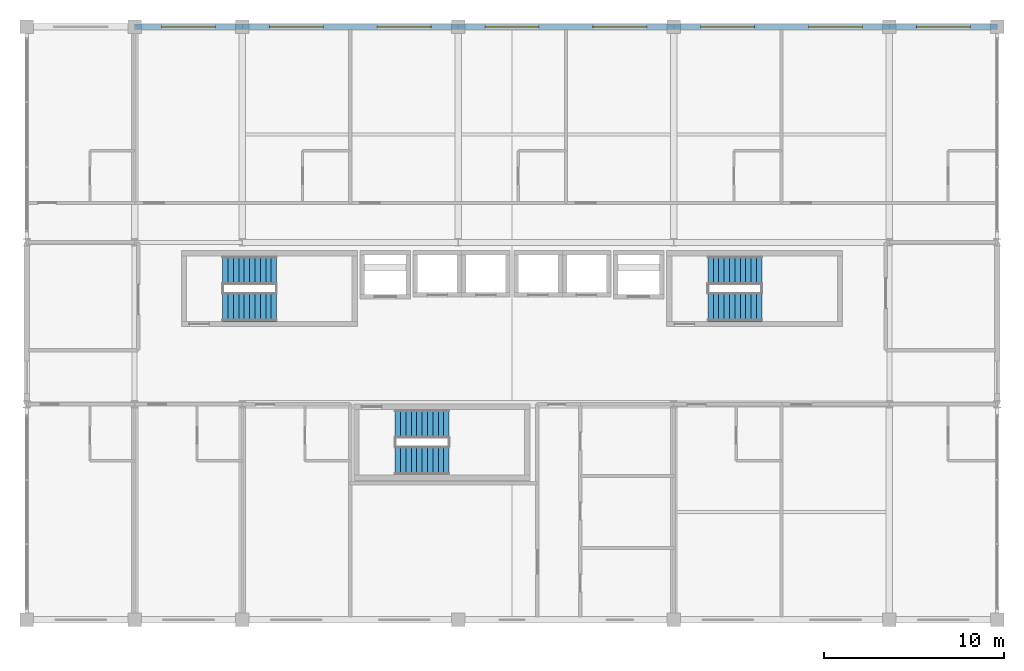
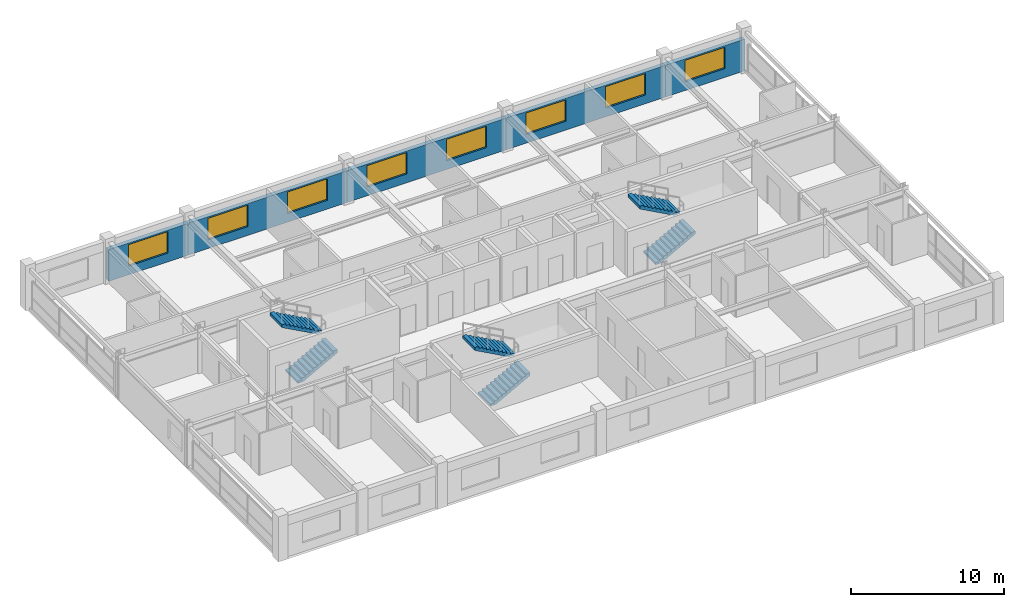
# One storey, part 19 of 20: 8 windows, 6 stair flights, 5 walls, 8 openings, 3 elements without a shape of their own.
"""IFC4 building model written with IfcOpenShell, lengths in metres."""

import ifcopenshell
import ifcopenshell.guid

model = None  # the IFC model being written
_history = None  # IfcOwnerHistory: only IFC2X3 demands one
_inside = {}  # id of a spatial element -> (the spatial element, [elements in it])
_under = {}  # id of a project, library or spatial element -> (it, [spatial elements below it])
_declared = {}  # id of a project -> (the project, [libraries it declares])
_typed = {}  # id of a type object -> (the type object, [elements of that type])
_made_of = {}  # id of a material, layer set ... -> (it, [elements and type objects made of it])


def new_model(schema):
    """Start an empty IFC model of exactly this schema.

    Asked for "IFC4X3", IfcOpenShell would pick the latest addendum, in which some entities
    have other attributes; the version numbers below select the first issue.
    IFC2X3 requires an IfcOwnerHistory on every rooted entity: one is made here for all.
    """
    global model, _history
    if schema == "IFC4X3":
        model = ifcopenshell.file(schema_version=(4, 3, 0, 0))
    else:
        model = ifcopenshell.file(schema=schema)
    _inside.clear()
    _under.clear()
    _declared.clear()
    _typed.clear()
    _made_of.clear()
    _history = None
    if model.schema == "IFC2X3":
        org = make("IfcOrganization", Name="unknown")
        user = make(
            "IfcPersonAndOrganization",
            ThePerson=make("IfcPerson", FamilyName="unknown"),
            TheOrganization=org,
        )
        app = make(
            "IfcApplication",
            ApplicationDeveloper=org,
            Version="unknown",
            ApplicationFullName="unknown",
            ApplicationIdentifier="unknown",
        )
        _history = make(
            "IfcOwnerHistory",
            OwningUser=user,
            OwningApplication=app,
            ChangeAction="ADDED",
            CreationDate=0,
        )
    return model


def make(cls, **values):
    """One entity of the class cls with the attributes given. An attribute that is None is left unset."""
    return model.create_entity(
        cls, **{name: value for name, value in values.items() if value is not None}
    )


def rooted(cls, **values):
    """An entity with a GlobalId (a new one), such as an element, a storey or a relation."""
    return make(cls, GlobalId=ifcopenshell.guid.new(), OwnerHistory=_history, **values)


def si_unit(unit_type, name, prefix=None):
    """IfcSIUnit, for example si_unit("LENGTHUNIT", "METRE", prefix="MILLI")."""
    return make("IfcSIUnit", UnitType=unit_type, Prefix=prefix, Name=name)


def assignment(units):
    """IfcUnitAssignment: the units of a project."""
    return None if units is None else make("IfcUnitAssignment", Units=units)


def point(xyz):
    """IfcCartesianPoint."""
    return None if xyz is None else make("IfcCartesianPoint", Coordinates=xyz)


def direction(xyz):
    """IfcDirection."""
    return None if xyz is None else make("IfcDirection", DirectionRatios=xyz)


def frame(location, z_axis=None, x_axis=None):
    """IfcAxis2Placement3D, a coordinate frame: its origin and axes. An axis left out is left unset."""
    return make(
        "IfcAxis2Placement3D",
        Location=point(location),
        Axis=direction(z_axis),
        RefDirection=direction(x_axis),
    )


def frame_2d(location, x_axis=None):
    """IfcAxis2Placement2D, a coordinate frame in the plane: its origin and x axis."""
    return make(
        "IfcAxis2Placement2D", Location=point(location), RefDirection=direction(x_axis)
    )


def origin():
    """The frame at (0, 0, 0) with its axes left unset."""
    return frame((0.0, 0.0, 0.0))


def place(relative_to, where):
    """IfcLocalPlacement: puts the frame where relative to a parent placement (None: the world)."""
    return make(
        "IfcLocalPlacement", PlacementRelTo=relative_to, RelativePlacement=where
    )


def context(
    kind, dimensions, precision=None, world=None, true_north=None, identifier=None
):
    """IfcGeometricRepresentationContext, for example the 3D "Model" context."""
    return make(
        "IfcGeometricRepresentationContext",
        ContextIdentifier=identifier,
        ContextType=kind,
        CoordinateSpaceDimension=dimensions,
        Precision=precision,
        WorldCoordinateSystem=world,
        TrueNorth=true_north,
    )


def subcontext(parent, identifier, kind, view, scale=None):
    """IfcGeometricRepresentationSubContext, for example "Body" below "Model"."""
    return make(
        "IfcGeometricRepresentationSubContext",
        ContextIdentifier=identifier,
        ContextType=kind,
        ParentContext=parent,
        TargetScale=scale,
        TargetView=view,
    )


def project(units=None, contexts=None):
    """IfcProject with its units and contexts."""
    return rooted(
        "IfcProject",
        Name="project",
        RepresentationContexts=contexts,
        UnitsInContext=assignment(units),
    )


def spatial(cls, under=None, at=None, **own):
    """A site, building, storey or space (cls), placed at a placement, below another one or the project."""
    s = rooted(cls, ObjectPlacement=at, **own)
    if under is not None:
        _under.setdefault(under.id(), (under, []))[1].append(s)
    return s


def polyline(points):
    """IfcPolyline through the points."""
    return make("IfcPolyline", Points=[point(p) for p in points])


def profile(cls, at=None, kind="AREA", **sizes):
    """A parametric profile (cls). Its sizes go by their IFC names, for example OverallWidth=200.0."""
    return make(cls, ProfileType=kind, Position=at, **sizes)


def rectangle(**sizes):
    """IfcRectangleProfileDef."""
    return profile("IfcRectangleProfileDef", **sizes)


def outline(outer, holes=None, kind="AREA"):
    """IfcArbitraryClosedProfileDef: a profile drawn as a closed curve; with holes, ...WithVoids."""
    if holes is None:
        return make("IfcArbitraryClosedProfileDef", ProfileType=kind, OuterCurve=outer)
    return make(
        "IfcArbitraryProfileDefWithVoids",
        ProfileType=kind,
        OuterCurve=outer,
        InnerCurves=holes,
    )


def extrude(swept, where, along, depth):
    """IfcExtrudedAreaSolid: the profile swept, set in the frame where, extruded along a direction by depth."""
    return make(
        "IfcExtrudedAreaSolid",
        SweptArea=swept,
        Position=where,
        ExtrudedDirection=direction(along),
        Depth=depth,
    )


def shape(context_of_items, identifier, shape_type, items):
    """IfcShapeRepresentation: the items that make up one representation, for example the "Body"."""
    return make(
        "IfcShapeRepresentation",
        ContextOfItems=context_of_items,
        RepresentationIdentifier=identifier,
        RepresentationType=shape_type,
        Items=items,
    )


def material(Name=None, Category=None):
    """IfcMaterial."""
    return make("IfcMaterial", Name=Name, Category=Category)


def layer(
    of_material, thickness, ventilated=None, Name=None, Category=None, Priority=None
):
    """IfcMaterialLayer: one layer of a wall or slab, of a material (None: an air gap)."""
    return make(
        "IfcMaterialLayer",
        Material=of_material,
        LayerThickness=thickness,
        IsVentilated=ventilated,
        Name=Name,
        Category=Category,
        Priority=Priority,
    )


def layer_set(layers, Name=None):
    """IfcMaterialLayerSet."""
    return make("IfcMaterialLayerSet", MaterialLayers=layers, LayerSetName=Name)


def made_of(thing, what):
    """Note that an element or type object is made of a material, layer set ...; save() writes the relation."""
    if what is not None:
        _made_of.setdefault(what.id(), (what, []))[1].append(thing)
    return thing


def type_object(cls, material=None, **own):
    """A type object (cls), such as IfcWallType, which elements share."""
    return made_of(rooted(cls, **own), material)


def element(
    cls,
    number,
    at=None,
    inside=None,
    cuts=None,
    type_object=None,
    material=None,
    context=None,
    identifier="Body",
    shape_type=None,
    held_by="IfcProductDefinitionShape",
    body=None,
    shapes=None,
    **own,
):
    """One element of the class cls, such as IfcWall. Its Tag is "e" and its number.

    at: its placement. inside: the storey or other place that contains it. cuts: it is an
    opening in that element (IfcRelVoidsElement). A single representation is given by context,
    identifier, shape_type and body (its items); several are given by shapes. held_by: the class
    of the entity that holds the representations. save() writes the other relations.
    """
    e = rooted(cls, Tag="e%d" % number, ObjectPlacement=at, **own)
    if body is not None:
        shapes = [shape(context, identifier, shape_type, body)]
    if shapes is not None:
        e.Representation = make(held_by, Representations=shapes)
    if inside is not None:
        _inside.setdefault(inside.id(), (inside, []))[1].append(e)
    if cuts is not None:
        rooted(
            "IfcRelVoidsElement", RelatingBuildingElement=cuts, RelatedOpeningElement=e
        )
    if type_object is not None:
        _typed.setdefault(type_object.id(), (type_object, []))[1].append(e)
    return made_of(e, material)


def fill(opening, filler):
    """IfcRelFillsElement: the door or window that sits in an opening."""
    return rooted(
        "IfcRelFillsElement",
        RelatingOpeningElement=opening,
        RelatedBuildingElement=filler,
    )


def aggregate(whole, parts):
    """IfcRelAggregates: a whole, such as a stair, and the parts it consists of."""
    return rooted("IfcRelAggregates", RelatingObject=whole, RelatedObjects=parts)


def save(model, path):
    """Write the relations noted so far, then the file.

    IfcRelAggregates (storeys below a building ...), IfcRelContainedInSpatialStructure (elements
    in a storey), IfcRelDefinesByType, IfcRelAssociatesMaterial and IfcRelDeclares: one each for
    every whole, place, type object, material and project.
    """
    for whole, parts in _under.values():
        aggregate(whole, parts)
    for where, things in _inside.values():
        rooted(
            "IfcRelContainedInSpatialStructure",
            RelatedElements=things,
            RelatingStructure=where,
        )
    for kind, things in _typed.values():
        rooted("IfcRelDefinesByType", RelatedObjects=things, RelatingType=kind)
    for what, things in _made_of.values():
        rooted("IfcRelAssociatesMaterial", RelatedObjects=things, RelatingMaterial=what)
    for by, libraries in _declared.values():
        rooted("IfcRelDeclares", RelatingContext=by, RelatedDefinitions=libraries)
    model.write(path)


model = new_model("IFC4")

# Units and contexts
model_context = context("Model", 3, precision=1e-05, world=origin(), true_north=direction((0.0, 1.0)))
body_context = subcontext(model_context, "Body", "Model", "MODEL_VIEW")
ifc_project = project(units=[si_unit("LENGTHUNIT", "METRE"), si_unit("AREAUNIT", "SQUARE_METRE"), si_unit("VOLUMEUNIT", "CUBIC_METRE"), si_unit("PLANEANGLEUNIT", "RADIAN"), si_unit("MASSUNIT", "GRAM", prefix="KILO")], contexts=[model_context])

# Site, building, storey
site_placement = place(None, origin())
site = spatial("IfcSite", under=ifc_project, at=site_placement, CompositionType="ELEMENT")
building_placement = place(site_placement, origin())
building = spatial("IfcBuilding", under=site, at=building_placement, Name="Kaldorvane Square Convention Centre", CompositionType="ELEMENT")
storey_placement = place(building_placement, frame((0.0, 0.0, 56.399993896484375)))
storey = spatial("IfcBuildingStorey", under=building, at=storey_placement, Name="L13", CompositionType="ELEMENT", Elevation=56.399993896484375)

# Wall, opening, window
ifc_material_1 = material(Name="Concrete f'c = 35 MPa (Normalweight)", Category="concrete")
ifc_layer = layer(ifc_material_1, 0.32000732421875)
ifc_layer_set = layer_set([ifc_layer], Name="Concrete f'c = 35 MPa (Normalweight)")
wall_type = type_object("IfcWallType", Name="WL-EXT-320", PredefinedType="STANDARD", material=ifc_layer_set)
wall_1_placement = place(storey_placement, frame((42.0, 117.0, 0.0), z_axis=(0.0, 0.0, 1.0), x_axis=(-1.0, 0.0, 0.0)))
wall_1 = element("IfcWall", 1, at=wall_1_placement, inside=storey, type_object=wall_type, Name="Hotel N Brutalist Facade Wall (L13)", PredefinedType="STANDARD", context=body_context, shape_type="SweptSolid", body=[
    extrude(rectangle(XDim=6.0, YDim=0.32000732421875, at=frame_2d((3.0, 0.0))), origin(), (0.0, 0.0, 1.0), 2.5360107421875),
])
opening_1_placement = place(wall_1_placement, frame((1.5, 0.0, 0.6999969482421875)))
opening_1 = element("IfcOpeningElement", 2, at=opening_1_placement, cuts=wall_1, Name="Opening W-09", PredefinedType="OPENING", context=body_context, shape_type="SweptSolid", body=[
    extrude(rectangle(XDim=3.0, YDim=1.7100067138671875, at=frame_2d((1.5, 0.855010986328125))), frame((0.0, 0.1750030517578125, 0.0), z_axis=(0.0, -1.0, 0.0), x_axis=(1.0, 0.0, 0.0)), (0.0, 0.0, 1.0), 0.350006103515625),
])
ifc_material_2 = material(Name="Anodized Aluminum and Low-E Insulated Glazing", Category="aluminium")
window_type = type_object("IfcWindowType", Name="WN-HTL-3000X1750", PartitioningType="TRIPLE_PANEL_VERTICAL", PredefinedType="WINDOW", material=ifc_material_2)
window_1_placement = place(opening_1_placement, origin())
window_1 = element("IfcWindow", 3, at=window_1_placement, inside=storey, type_object=window_type, Name="Hotel N Window (L13)", OverallHeight=1.7100067138671875, OverallWidth=3.0, PartitioningType="TRIPLE_PANEL_VERTICAL", PredefinedType="WINDOW", context=body_context, shape_type="SweptSolid", body=[
    extrude(rectangle(XDim=3.0, YDim=1.7100067138671875, at=frame_2d((1.5, 0.855010986328125))), frame((0.0, 0.029998779296875, 0.0), z_axis=(0.0, -1.0, 0.0), x_axis=(1.0, 0.0, 0.0)), (0.0, 0.0, 1.0), 0.05999755859375),
])
fill(opening_1, window_1)

# Wall, openings, windows
wall_2_placement = place(storey_placement, frame((54.0, 117.0, 0.0), z_axis=(0.0, 0.0, 1.0), x_axis=(-1.0, 0.0, 0.0)))
wall_2 = element("IfcWall", 4, at=wall_2_placement, inside=storey, type_object=wall_type, Name="Hotel N Brutalist Facade Wall (L13)", PredefinedType="STANDARD", context=body_context, shape_type="SweptSolid", body=[
    extrude(rectangle(XDim=12.0, YDim=0.32000732421875, at=frame_2d((6.0, 0.0))), origin(), (0.0, 0.0, 1.0), 2.5360107421875),
])
opening_2_placement = place(wall_2_placement, frame((1.5, 0.0, 0.6999969482421875)))
opening_2 = element("IfcOpeningElement", 5, at=opening_2_placement, cuts=wall_2, Name="Opening W-09", PredefinedType="OPENING", context=body_context, shape_type="SweptSolid", body=[
    extrude(rectangle(XDim=3.0, YDim=1.7100067138671875, at=frame_2d((1.5, 0.855010986328125))), frame((0.0, 0.1750030517578125, 0.0), z_axis=(0.0, -1.0, 0.0), x_axis=(1.0, 0.0, 0.0)), (0.0, 0.0, 1.0), 0.350006103515625),
])
opening_3_placement = place(wall_2_placement, frame((7.5, 0.0, 0.6999969482421875)))
opening_3 = element("IfcOpeningElement", 6, at=opening_3_placement, cuts=wall_2, Name="Opening W-09", PredefinedType="OPENING", context=body_context, shape_type="SweptSolid", body=[
    extrude(rectangle(XDim=3.0, YDim=1.7100067138671875, at=frame_2d((1.5, 0.855010986328125))), frame((0.0, 0.1750030517578125, 0.0), z_axis=(0.0, -1.0, 0.0), x_axis=(1.0, 0.0, 0.0)), (0.0, 0.0, 1.0), 0.350006103515625),
])
window_2_placement = place(opening_2_placement, origin())
window_2 = element("IfcWindow", 7, at=window_2_placement, inside=storey, type_object=window_type, Name="Hotel N Window (L13)", OverallHeight=1.7100067138671875, OverallWidth=3.0, PartitioningType="TRIPLE_PANEL_VERTICAL", PredefinedType="WINDOW", context=body_context, shape_type="SweptSolid", body=[
    extrude(rectangle(XDim=3.0, YDim=1.7100067138671875, at=frame_2d((1.5, 0.855010986328125))), frame((0.0, 0.029998779296875, 0.0), z_axis=(0.0, -1.0, 0.0), x_axis=(1.0, 0.0, 0.0)), (0.0, 0.0, 1.0), 0.05999755859375),
])
fill(opening_2, window_2)
window_3_placement = place(opening_3_placement, origin())
window_3 = element("IfcWindow", 8, at=window_3_placement, inside=storey, type_object=window_type, Name="Hotel N Window (L13)", OverallHeight=1.7100067138671875, OverallWidth=3.0, PartitioningType="TRIPLE_PANEL_VERTICAL", PredefinedType="WINDOW", context=body_context, shape_type="SweptSolid", body=[
    extrude(rectangle(XDim=3.0, YDim=1.7100067138671875, at=frame_2d((1.5, 0.855010986328125))), frame((0.0, 0.029998779296875, 0.0), z_axis=(0.0, -1.0, 0.0), x_axis=(1.0, 0.0, 0.0)), (0.0, 0.0, 1.0), 0.05999755859375),
])
fill(opening_3, window_3)

wall_3_placement = place(storey_placement, frame((66.0, 117.0, 0.0), z_axis=(0.0, 0.0, 1.0), x_axis=(-1.0, 0.0, 0.0)))
wall_3 = element("IfcWall", 9, at=wall_3_placement, inside=storey, type_object=wall_type, Name="Hotel N Brutalist Facade Wall (L13)", PredefinedType="STANDARD", context=body_context, shape_type="SweptSolid", body=[
    extrude(rectangle(XDim=12.0, YDim=0.32000732421875, at=frame_2d((6.0, 0.0))), origin(), (0.0, 0.0, 1.0), 2.5360107421875),
])
opening_4_placement = place(wall_3_placement, frame((1.5, 0.0, 0.6999969482421875)))
opening_4 = element("IfcOpeningElement", 10, at=opening_4_placement, cuts=wall_3, Name="Opening W-09", PredefinedType="OPENING", context=body_context, shape_type="SweptSolid", body=[
    extrude(rectangle(XDim=3.0, YDim=1.7100067138671875, at=frame_2d((1.5, 0.855010986328125))), frame((0.0, 0.1750030517578125, 0.0), z_axis=(0.0, -1.0, 0.0), x_axis=(1.0, 0.0, 0.0)), (0.0, 0.0, 1.0), 0.350006103515625),
])
opening_5_placement = place(wall_3_placement, frame((7.5, 0.0, 0.6999969482421875)))
opening_5 = element("IfcOpeningElement", 11, at=opening_5_placement, cuts=wall_3, Name="Opening W-09", PredefinedType="OPENING", context=body_context, shape_type="SweptSolid", body=[
    extrude(rectangle(XDim=3.0, YDim=1.7100067138671875, at=frame_2d((1.5, 0.855010986328125))), frame((0.0, 0.1750030517578125, 0.0), z_axis=(0.0, -1.0, 0.0), x_axis=(1.0, 0.0, 0.0)), (0.0, 0.0, 1.0), 0.350006103515625),
])
window_4_placement = place(opening_4_placement, origin())
window_4 = element("IfcWindow", 12, at=window_4_placement, inside=storey, type_object=window_type, Name="Hotel N Window (L13)", OverallHeight=1.7100067138671875, OverallWidth=3.0, PartitioningType="TRIPLE_PANEL_VERTICAL", PredefinedType="WINDOW", context=body_context, shape_type="SweptSolid", body=[
    extrude(rectangle(XDim=3.0, YDim=1.7100067138671875, at=frame_2d((1.5, 0.855010986328125))), frame((0.0, 0.029998779296875, 0.0), z_axis=(0.0, -1.0, 0.0), x_axis=(1.0, 0.0, 0.0)), (0.0, 0.0, 1.0), 0.05999755859375),
])
fill(opening_4, window_4)
window_5_placement = place(opening_5_placement, origin())
window_5 = element("IfcWindow", 13, at=window_5_placement, inside=storey, type_object=window_type, Name="Hotel N Window (L13)", OverallHeight=1.7100067138671875, OverallWidth=3.0, PartitioningType="TRIPLE_PANEL_VERTICAL", PredefinedType="WINDOW", context=body_context, shape_type="SweptSolid", body=[
    extrude(rectangle(XDim=3.0, YDim=1.7100067138671875, at=frame_2d((1.5, 0.855010986328125))), frame((0.0, 0.029998779296875, 0.0), z_axis=(0.0, -1.0, 0.0), x_axis=(1.0, 0.0, 0.0)), (0.0, 0.0, 1.0), 0.05999755859375),
])
fill(opening_5, window_5)

wall_4_placement = place(storey_placement, frame((78.0, 117.0, 0.0), z_axis=(0.0, 0.0, 1.0), x_axis=(-1.0, 0.0, 0.0)))
wall_4 = element("IfcWall", 14, at=wall_4_placement, inside=storey, type_object=wall_type, Name="Hotel N Brutalist Facade Wall (L13)", PredefinedType="STANDARD", context=body_context, shape_type="SweptSolid", body=[
    extrude(rectangle(XDim=12.0, YDim=0.32000732421875, at=frame_2d((6.0, 0.0))), origin(), (0.0, 0.0, 1.0), 2.5360107421875),
])
opening_6_placement = place(wall_4_placement, frame((1.5, 0.0, 0.6999969482421875)))
opening_6 = element("IfcOpeningElement", 15, at=opening_6_placement, cuts=wall_4, Name="Opening W-09", PredefinedType="OPENING", context=body_context, shape_type="SweptSolid", body=[
    extrude(rectangle(XDim=3.0, YDim=1.7100067138671875, at=frame_2d((1.5, 0.855010986328125))), frame((0.0, 0.1750030517578125, 0.0), z_axis=(0.0, -1.0, 0.0), x_axis=(1.0, 0.0, 0.0)), (0.0, 0.0, 1.0), 0.350006103515625),
])
opening_7_placement = place(wall_4_placement, frame((7.5, 0.0, 0.6999969482421875)))
opening_7 = element("IfcOpeningElement", 16, at=opening_7_placement, cuts=wall_4, Name="Opening W-09", PredefinedType="OPENING", context=body_context, shape_type="SweptSolid", body=[
    extrude(rectangle(XDim=3.0, YDim=1.7100067138671875, at=frame_2d((1.5, 0.855010986328125))), frame((0.0, 0.1750030517578125, 0.0), z_axis=(0.0, -1.0, 0.0), x_axis=(1.0, 0.0, 0.0)), (0.0, 0.0, 1.0), 0.350006103515625),
])
window_6_placement = place(opening_6_placement, origin())
window_6 = element("IfcWindow", 17, at=window_6_placement, inside=storey, type_object=window_type, Name="Hotel N Window (L13)", OverallHeight=1.7100067138671875, OverallWidth=3.0, PartitioningType="TRIPLE_PANEL_VERTICAL", PredefinedType="WINDOW", context=body_context, shape_type="SweptSolid", body=[
    extrude(rectangle(XDim=3.0, YDim=1.7100067138671875, at=frame_2d((1.5, 0.855010986328125))), frame((0.0, 0.029998779296875, 0.0), z_axis=(0.0, -1.0, 0.0), x_axis=(1.0, 0.0, 0.0)), (0.0, 0.0, 1.0), 0.05999755859375),
])
fill(opening_6, window_6)
window_7_placement = place(opening_7_placement, origin())
window_7 = element("IfcWindow", 18, at=window_7_placement, inside=storey, type_object=window_type, Name="Hotel N Window (L13)", OverallHeight=1.7100067138671875, OverallWidth=3.0, PartitioningType="TRIPLE_PANEL_VERTICAL", PredefinedType="WINDOW", context=body_context, shape_type="SweptSolid", body=[
    extrude(rectangle(XDim=3.0, YDim=1.7100067138671875, at=frame_2d((1.5, 0.855010986328125))), frame((0.0, 0.029998779296875, 0.0), z_axis=(0.0, -1.0, 0.0), x_axis=(1.0, 0.0, 0.0)), (0.0, 0.0, 1.0), 0.05999755859375),
])
fill(opening_7, window_7)

# Wall, opening, window
wall_5_placement = place(storey_placement, frame((84.0, 117.0, 0.0), z_axis=(0.0, 0.0, 1.0), x_axis=(-1.0, 0.0, 0.0)))
wall_5 = element("IfcWall", 19, at=wall_5_placement, inside=storey, type_object=wall_type, Name="Hotel N Brutalist Facade Wall (L13)", PredefinedType="STANDARD", context=body_context, shape_type="SweptSolid", body=[
    extrude(rectangle(XDim=6.0, YDim=0.32000732421875, at=frame_2d((3.0, 0.0))), origin(), (0.0, 0.0, 1.0), 2.5360107421875),
])
opening_8_placement = place(wall_5_placement, frame((1.5, 0.0, 0.6999969482421875)))
opening_8 = element("IfcOpeningElement", 20, at=opening_8_placement, cuts=wall_5, Name="Opening W-09", PredefinedType="OPENING", context=body_context, shape_type="SweptSolid", body=[
    extrude(rectangle(XDim=3.0, YDim=1.7100067138671875, at=frame_2d((1.5, 0.855010986328125))), frame((0.0, 0.1750030517578125, 0.0), z_axis=(0.0, -1.0, 0.0), x_axis=(1.0, 0.0, 0.0)), (0.0, 0.0, 1.0), 0.350006103515625),
])
window_8_placement = place(opening_8_placement, origin())
window_8 = element("IfcWindow", 21, at=window_8_placement, inside=storey, type_object=window_type, Name="Hotel N Window (L13)", OverallHeight=1.7100067138671875, OverallWidth=3.0, PartitioningType="TRIPLE_PANEL_VERTICAL", PredefinedType="WINDOW", context=body_context, shape_type="SweptSolid", body=[
    extrude(rectangle(XDim=3.0, YDim=1.7100067138671875, at=frame_2d((1.5, 0.855010986328125))), frame((0.0, 0.029998779296875, 0.0), z_axis=(0.0, -1.0, 0.0), x_axis=(1.0, 0.0, 0.0)), (0.0, 0.0, 1.0), 0.05999755859375),
])
fill(opening_8, window_8)

# Stair, stair flights
ifc_material_3 = material(Name="Concrete f'c = 42 MPa (Normalweight)", Category="concrete")
stair_type = type_object("IfcStairType", Name="ST-DL-1600-3600", PredefinedType="HALF_TURN_STAIR", material=ifc_material_3)
stair_1_placement = place(storey_placement, origin())
stair_1 = element("IfcStair", 22, at=stair_1_placement, inside=storey, type_object=stair_type, Name="Tower Exit Stair T1 (L13)", PredefinedType="HALF_TURN_STAIR")
stair_flight_type = type_object("IfcStairFlightType", Name="SF-STR-1600-11R", PredefinedType="STRAIGHT", material=ifc_material_3)
stair_flight_1_placement = place(storey_placement, frame((40.899993896484375, 101.41000366210938, 0.0), z_axis=(0.0, 0.0, 1.0), x_axis=(1.0, 0.0, 0.0)))
stair_flight_1 = element("IfcStairFlight", 23, at=stair_flight_1_placement, type_object=stair_flight_type, Name="Tower Exit Stair T1 Flight 1 (L13)", NumberOfRisers=11, NumberOfTreads=10, PredefinedType="STRAIGHT", RiserHeight=0.163636364, TreadLength=0.3, context=body_context, shape_type="SweptSolid", body=[
    extrude(outline(polyline([(0.0, 0.0), (0.0, 0.16363525390625), (0.3000030517578125, 0.16363525390625), (0.3000030517578125, 0.3272705078125), (0.600006103515625, 0.3272705078125), (0.600006103515625, 0.49090576171875), (0.899993896484375, 0.49090576171875), (0.899993896484375, 0.654541015625), (1.1999969482421875, 0.654541015625), (1.1999969482421875, 0.81817626953125), (1.5, 0.81817626953125), (1.5, 0.9818115234375), (1.8000030517578125, 0.9818115234375), (1.8000030517578125, 1.1454620361328125), (2.100006103515625, 1.1454620361328125), (2.100006103515625, 1.3090972900390625), (2.399993896484375, 1.3090972900390625), (2.399993896484375, 1.4727325439453125), (2.6999969482421875, 1.4727325439453125), (2.6999969482421875, 1.6363677978515625), (3.0, 1.6363677978515625), (3.0, 1.8000030517578125), (3.0, 1.4085540771484375), (0.41766357421875, 0.0), (0.0, 0.0)])), frame((0.0, 0.8000030517578125, 0.0), z_axis=(0.0, -1.0, 0.0), x_axis=(1.0, 0.0, 0.0)), (0.0, 0.0, 1.0), 1.600006103515625),
])
stair_flight_2_placement = place(storey_placement, frame((43.899993896484375, 103.44999694824219, 1.8000030517578125), z_axis=(0.0, 0.0, 1.0), x_axis=(-1.0, 0.0, 0.0)))
stair_flight_2 = element("IfcStairFlight", 24, at=stair_flight_2_placement, type_object=stair_flight_type, Name="Tower Exit Stair T1 Flight 2 (L13)", NumberOfRisers=11, NumberOfTreads=10, PredefinedType="STRAIGHT", RiserHeight=0.163636364, TreadLength=0.3, context=body_context, shape_type="SweptSolid", body=[
    extrude(outline(polyline([(0.0, 0.0), (0.0, 0.16363525390625), (0.3000030517578125, 0.16363525390625), (0.3000030517578125, 0.3272705078125), (0.600006103515625, 0.3272705078125), (0.600006103515625, 0.49090576171875), (0.899993896484375, 0.49090576171875), (0.899993896484375, 0.654541015625), (1.1999969482421875, 0.654541015625), (1.1999969482421875, 0.81817626953125), (1.5, 0.81817626953125), (1.5, 0.9818115234375), (1.8000030517578125, 0.9818115234375), (1.8000030517578125, 1.1454620361328125), (2.100006103515625, 1.1454620361328125), (2.100006103515625, 1.3090972900390625), (2.399993896484375, 1.3090972900390625), (2.399993896484375, 1.4727325439453125), (2.6999969482421875, 1.4727325439453125), (2.6999969482421875, 1.6363677978515625), (3.0, 1.6363677978515625), (3.0, 1.8000030517578125), (3.0, 1.4085540771484375), (0.41766357421875, 0.0), (0.0, 0.0)])), frame((0.0, 0.8000030517578125, 0.0), z_axis=(0.0, -1.0, 0.0), x_axis=(1.0, 0.0, 0.0)), (0.0, 0.0, 1.0), 1.600006103515625),
])
aggregate(stair_1, [stair_flight_1, stair_flight_2])

stair_2_placement = place(storey_placement, origin())
stair_2 = element("IfcStair", 25, at=stair_2_placement, inside=storey, type_object=stair_type, Name="Tower Exit Stair T2 (L13)", PredefinedType="HALF_TURN_STAIR")
stair_flight_3_placement = place(storey_placement, frame((67.89999389648438, 101.41000366210938, 0.0), z_axis=(0.0, 0.0, 1.0), x_axis=(1.0, 0.0, 0.0)))
stair_flight_3 = element("IfcStairFlight", 26, at=stair_flight_3_placement, type_object=stair_flight_type, Name="Tower Exit Stair T2 Flight 1 (L13)", NumberOfRisers=11, NumberOfTreads=10, PredefinedType="STRAIGHT", RiserHeight=0.163636364, TreadLength=0.3, context=body_context, shape_type="SweptSolid", body=[
    extrude(outline(polyline([(0.0, 0.0), (0.0, 0.16363525390625), (0.3000030517578125, 0.16363525390625), (0.3000030517578125, 0.3272705078125), (0.600006103515625, 0.3272705078125), (0.600006103515625, 0.49090576171875), (0.899993896484375, 0.49090576171875), (0.899993896484375, 0.654541015625), (1.1999969482421875, 0.654541015625), (1.1999969482421875, 0.81817626953125), (1.5, 0.81817626953125), (1.5, 0.9818115234375), (1.8000030517578125, 0.9818115234375), (1.8000030517578125, 1.1454620361328125), (2.100006103515625, 1.1454620361328125), (2.100006103515625, 1.3090972900390625), (2.399993896484375, 1.3090972900390625), (2.399993896484375, 1.4727325439453125), (2.6999969482421875, 1.4727325439453125), (2.6999969482421875, 1.6363677978515625), (3.0, 1.6363677978515625), (3.0, 1.8000030517578125), (3.0, 1.4085540771484375), (0.41766357421875, 0.0), (0.0, 0.0)])), frame((0.0, 0.8000030517578125, 0.0), z_axis=(0.0, -1.0, 0.0), x_axis=(1.0, 0.0, 0.0)), (0.0, 0.0, 1.0), 1.600006103515625),
])
stair_flight_4_placement = place(storey_placement, frame((70.89999389648438, 103.44999694824219, 1.8000030517578125), z_axis=(0.0, 0.0, 1.0), x_axis=(-1.0, 0.0, 0.0)))
stair_flight_4 = element("IfcStairFlight", 27, at=stair_flight_4_placement, type_object=stair_flight_type, Name="Tower Exit Stair T2 Flight 2 (L13)", NumberOfRisers=11, NumberOfTreads=10, PredefinedType="STRAIGHT", RiserHeight=0.163636364, TreadLength=0.3, context=body_context, shape_type="SweptSolid", body=[
    extrude(outline(polyline([(0.0, 0.0), (0.0, 0.16363525390625), (0.3000030517578125, 0.16363525390625), (0.3000030517578125, 0.3272705078125), (0.600006103515625, 0.3272705078125), (0.600006103515625, 0.49090576171875), (0.899993896484375, 0.49090576171875), (0.899993896484375, 0.654541015625), (1.1999969482421875, 0.654541015625), (1.1999969482421875, 0.81817626953125), (1.5, 0.81817626953125), (1.5, 0.9818115234375), (1.8000030517578125, 0.9818115234375), (1.8000030517578125, 1.1454620361328125), (2.100006103515625, 1.1454620361328125), (2.100006103515625, 1.3090972900390625), (2.399993896484375, 1.3090972900390625), (2.399993896484375, 1.4727325439453125), (2.6999969482421875, 1.4727325439453125), (2.6999969482421875, 1.6363677978515625), (3.0, 1.6363677978515625), (3.0, 1.8000030517578125), (3.0, 1.4085540771484375), (0.41766357421875, 0.0), (0.0, 0.0)])), frame((0.0, 0.8000030517578125, 0.0), z_axis=(0.0, -1.0, 0.0), x_axis=(1.0, 0.0, 0.0)), (0.0, 0.0, 1.0), 1.600006103515625),
])
aggregate(stair_2, [stair_flight_3, stair_flight_4])

stair_3_placement = place(storey_placement, origin())
stair_3 = element("IfcStair", 28, at=stair_3_placement, inside=storey, type_object=stair_type, Name="Tower Exit Stair T3 (L13)", PredefinedType="HALF_TURN_STAIR")
stair_flight_5_placement = place(storey_placement, frame((50.5, 92.86000061035156, 0.0), z_axis=(0.0, 0.0, 1.0), x_axis=(1.0, 0.0, 0.0)))
stair_flight_5 = element("IfcStairFlight", 29, at=stair_flight_5_placement, type_object=stair_flight_type, Name="Tower Exit Stair T3 Flight 1 (L13)", NumberOfRisers=11, NumberOfTreads=10, PredefinedType="STRAIGHT", RiserHeight=0.163636364, TreadLength=0.3, context=body_context, shape_type="SweptSolid", body=[
    extrude(outline(polyline([(0.0, 0.0), (0.0, 0.16363525390625), (0.3000030517578125, 0.16363525390625), (0.3000030517578125, 0.3272705078125), (0.600006103515625, 0.3272705078125), (0.600006103515625, 0.49090576171875), (0.899993896484375, 0.49090576171875), (0.899993896484375, 0.654541015625), (1.1999969482421875, 0.654541015625), (1.1999969482421875, 0.81817626953125), (1.5, 0.81817626953125), (1.5, 0.9818115234375), (1.8000030517578125, 0.9818115234375), (1.8000030517578125, 1.1454620361328125), (2.100006103515625, 1.1454620361328125), (2.100006103515625, 1.3090972900390625), (2.399993896484375, 1.3090972900390625), (2.399993896484375, 1.4727325439453125), (2.6999969482421875, 1.4727325439453125), (2.6999969482421875, 1.6363677978515625), (3.0, 1.6363677978515625), (3.0, 1.8000030517578125), (3.0, 1.4085540771484375), (0.41766357421875, 0.0), (0.0, 0.0)])), frame((0.0, 0.8000030517578125, 0.0), z_axis=(0.0, -1.0, 0.0), x_axis=(1.0, 0.0, 0.0)), (0.0, 0.0, 1.0), 1.600006103515625),
])
stair_flight_6_placement = place(storey_placement, frame((53.5, 94.89999389648438, 1.8000030517578125), z_axis=(0.0, 0.0, 1.0), x_axis=(-1.0, 0.0, 0.0)))
stair_flight_6 = element("IfcStairFlight", 30, at=stair_flight_6_placement, type_object=stair_flight_type, Name="Tower Exit Stair T3 Flight 2 (L13)", NumberOfRisers=11, NumberOfTreads=10, PredefinedType="STRAIGHT", RiserHeight=0.163636364, TreadLength=0.3, context=body_context, shape_type="SweptSolid", body=[
    extrude(outline(polyline([(0.0, 0.0), (0.0, 0.16363525390625), (0.3000030517578125, 0.16363525390625), (0.3000030517578125, 0.3272705078125), (0.600006103515625, 0.3272705078125), (0.600006103515625, 0.49090576171875), (0.899993896484375, 0.49090576171875), (0.899993896484375, 0.654541015625), (1.1999969482421875, 0.654541015625), (1.1999969482421875, 0.81817626953125), (1.5, 0.81817626953125), (1.5, 0.9818115234375), (1.8000030517578125, 0.9818115234375), (1.8000030517578125, 1.1454620361328125), (2.100006103515625, 1.1454620361328125), (2.100006103515625, 1.3090972900390625), (2.399993896484375, 1.3090972900390625), (2.399993896484375, 1.4727325439453125), (2.6999969482421875, 1.4727325439453125), (2.6999969482421875, 1.6363677978515625), (3.0, 1.6363677978515625), (3.0, 1.8000030517578125), (3.0, 1.4085540771484375), (0.41766357421875, 0.0), (0.0, 0.0)])), frame((0.0, 0.8000030517578125, 0.0), z_axis=(0.0, -1.0, 0.0), x_axis=(1.0, 0.0, 0.0)), (0.0, 0.0, 1.0), 1.600006103515625),
])
aggregate(stair_3, [stair_flight_5, stair_flight_6])

save(model, "model.ifc")
